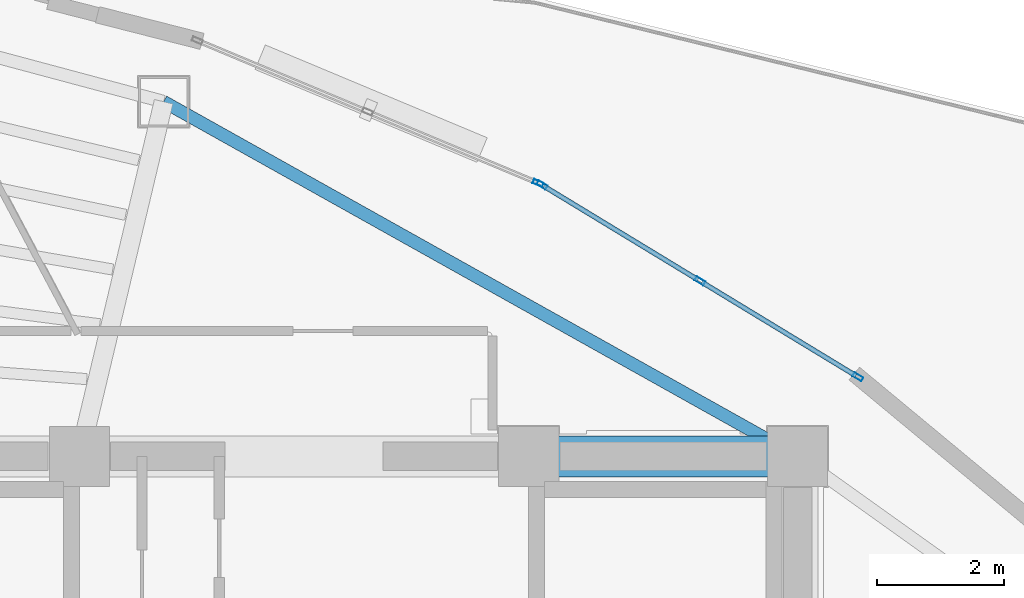
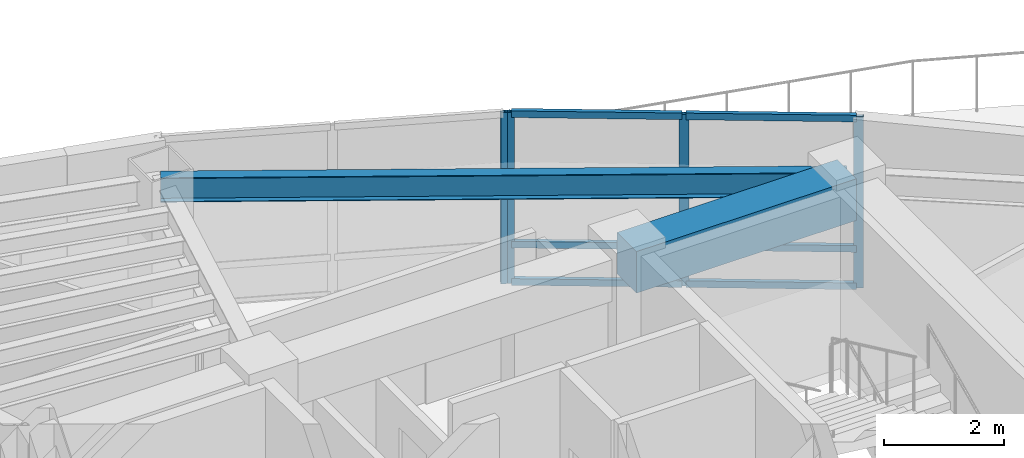
# One storey, part 10 of 16: 10 members, 2 beams, 2 elements without a shape of their own.
"""IFC4 building model written with IfcOpenShell, lengths in metres."""

from ifc_helpers import new_model, si_unit, direction, frame, origin, origin_2d, place, context, subcontext, project, spatial, rectangle, hollow_rectangle, i_section, extrude, material, layer, layer_set, material_profile, profile_set, type_object, element, aggregate, save


model = new_model("IFC4")

# Units and contexts
model_context = context("Model", 3, precision=1e-05, world=origin(), true_north=direction((0.0, 1.0)))
body_context = subcontext(model_context, "Body", "Model", "MODEL_VIEW")
ifc_project = project(units=[si_unit("LENGTHUNIT", "METRE"), si_unit("AREAUNIT", "SQUARE_METRE"), si_unit("VOLUMEUNIT", "CUBIC_METRE"), si_unit("PLANEANGLEUNIT", "RADIAN"), si_unit("MASSUNIT", "GRAM", prefix="KILO")], contexts=[model_context])

# Site, building, storey
site_placement = place(None, origin())
site = spatial("IfcSite", under=ifc_project, at=site_placement, CompositionType="ELEMENT")
building_placement = place(site_placement, origin())
building = spatial("IfcBuilding", under=site, at=building_placement, Name="Menara Vayukalpa", CompositionType="ELEMENT")
storey_placement = place(building_placement, frame((0.0, 0.0, 247.139892578125)))
storey = spatial("IfcBuildingStorey", under=building, at=storey_placement, Name="L62", CompositionType="ELEMENT", Elevation=247.139892578125)

# Beams
ifc_material_1 = material(Name="Concrete C60/75", Category="concrete")
ifc_material_profile_1 = material_profile(ifc_material_1, rectangle(XDim=0.64990234375, YDim=0.85009765625, at=origin_2d()), Name="RC 650x850")
ifc_profile_set_1 = profile_set([ifc_material_profile_1], Name="Concrete C60/75")
beam_type_1 = type_object("IfcBeamType", Name="BM-CB1", PredefinedType="BEAM", material=ifc_profile_set_1)
beam_1_placement = place(storey_placement, frame((29.14990234375, 26.800048828125, 3.0751953125), z_axis=(1.0, 0.0, 0.0), x_axis=(0.0, 1.0, 0.0)))
element("IfcBeam", 1, at=beam_1_placement, inside=storey, type_object=beam_type_1, Name="L62 Core Tie Beam CBR6", PredefinedType="BEAM", context=body_context, shape_type="SweptSolid", body=[
    extrude(rectangle(XDim=0.64990234375, YDim=0.85009765625, at=origin_2d()), origin(), (0.0, 0.0, 1.0), 4.25),
])
ifc_material_2 = material(Name="Steel S355", Category="steel")
ifc_material_profile_2 = material_profile(ifc_material_2, i_section(OverallWidth=0.199951171875, OverallDepth=0.5, WebThickness=0.010009765625, FlangeThickness=0.01611328125, at=origin_2d()), Name="WF 500x200x10x16")
ifc_profile_set_2 = profile_set([ifc_material_profile_2], Name="Steel S355")
beam_type_2 = type_object("IfcBeamType", Name="BM-SP3", PredefinedType="SPANDREL", material=ifc_profile_set_2)
beam_2_placement = place(storey_placement, frame((33.39990234375, 26.800048828125, 3.25), z_axis=(-0.87270577288, 0.48824648896, 0.0), x_axis=(-0.48824648896, -0.87270577288, 0.0)))
element("IfcBeam", 2, at=beam_2_placement, inside=storey, type_object=beam_type_2, Name="L62 Perimeter Spandrel Beam SP02", PredefinedType="SPANDREL", context=body_context, shape_type="SweptSolid", body=[
    extrude(i_section(OverallWidth=0.199951171875, OverallDepth=0.5, WebThickness=0.010009765625, FlangeThickness=0.01611328125, at=origin_2d()), origin(), (0.0, 0.0, 1.0), 11.479248046875),
])

# Curtain wall, members
ifc_material_3 = material(Name="Anodised Terracotta Aluminium Alloy 6063-T6", Category="masonry")
ifc_layer = layer(ifc_material_3, 0.1650390625)
ifc_layer_set = layer_set([ifc_layer], Name="Anodised Terracotta Aluminium Alloy 6063-T6")
curtain_wall_type = type_object("IfcCurtainWallType", Name="CW-CW6", PredefinedType="USERDEFINED", material=ifc_layer_set)
curtain_wall_1_placement = place(storey_placement, origin())
curtain_wall_1 = element("IfcCurtainWall", 3, at=curtain_wall_1_placement, inside=storey, type_object=curtain_wall_type, Name="L62 Observation and Executive Curtain Wall CW6 04", ObjectType="UNITISED", PredefinedType="USERDEFINED")
ifc_material_4 = material(Name="Anodised Terracotta Aluminium Alloy 6063-T6", Category="masonry")
ifc_material_profile_3 = material_profile(ifc_material_4, hollow_rectangle(XDim=0.070068359375, YDim=0.1650390625, WallThickness=0.00390625, at=origin_2d()), Name="ALU 70x165x4")
ifc_profile_set_3 = profile_set([ifc_material_profile_3], Name="Anodised Terracotta Aluminium Alloy 6063-T6")
member_type_1 = type_object("IfcMemberType", Name="CWM-CW6", PredefinedType="MULLION", material=ifc_profile_set_3)
member_1_placement = place(storey_placement, frame((34.35009765625, 28.056396484375, 0.0), z_axis=(0.0, 0.0, 1.0), x_axis=(-0.519175574558, -0.854667609532, 0.0)))
member_1 = element("IfcMember", 4, at=member_1_placement, type_object=member_type_1, Name="CW6 mullion 1", PredefinedType="MULLION", context=body_context, shape_type="SweptSolid", body=[
    extrude(hollow_rectangle(XDim=0.070068359375, YDim=0.1650390625, WallThickness=0.00390625, at=origin_2d()), origin(), (0.0, 0.0, 1.0), 3.5),
])
member_2_placement = place(storey_placement, frame((31.85546875, 29.57177734375, 0.0), z_axis=(0.0, 0.0, 1.0), x_axis=(-0.519175574558, -0.854667609532, 0.0)))
member_2 = element("IfcMember", 5, at=member_2_placement, type_object=member_type_1, Name="CW6 mullion 2", PredefinedType="MULLION", context=body_context, shape_type="SweptSolid", body=[
    extrude(hollow_rectangle(XDim=0.070068359375, YDim=0.1650390625, WallThickness=0.00390625, at=origin_2d()), origin(), (0.0, 0.0, 1.0), 3.5),
])
member_3_placement = place(storey_placement, frame((29.36083984375, 31.087158203125, 0.0), z_axis=(0.0, 0.0, 1.0), x_axis=(-0.519175574558, -0.854667609532, 0.0)))
member_3 = element("IfcMember", 6, at=member_3_placement, type_object=member_type_1, Name="CW6 mullion 3", PredefinedType="MULLION", context=body_context, shape_type="SweptSolid", body=[
    extrude(hollow_rectangle(XDim=0.070068359375, YDim=0.1650390625, WallThickness=0.00390625, at=origin_2d()), origin(), (0.0, 0.0, 1.0), 3.5),
])

# Curtain wall, member
curtain_wall_2_placement = place(storey_placement, origin())
curtain_wall_2 = element("IfcCurtainWall", 7, at=curtain_wall_2_placement, inside=storey, type_object=curtain_wall_type, Name="L62 Observation and Executive Curtain Wall CW6 05", ObjectType="UNITISED", PredefinedType="USERDEFINED")
member_4_placement = place(storey_placement, frame((29.298828125, 31.118896484375, 0.0), z_axis=(0.0, 0.0, 1.0), x_axis=(-0.385899911703, -0.922540653927, 0.0)))
member_4 = element("IfcMember", 8, at=member_4_placement, type_object=member_type_1, Name="CW6 mullion 1", PredefinedType="MULLION", context=body_context, shape_type="SweptSolid", body=[
    extrude(hollow_rectangle(XDim=0.070068359375, YDim=0.1650390625, WallThickness=0.00390625, at=origin_2d()), origin(), (0.0, 0.0, 1.0), 3.5),
])
aggregate(curtain_wall_2, [member_4])

# Member
ifc_material_5 = material(Name="Anodised Terracotta Aluminium Alloy 6063-T6", Category="masonry")
ifc_material_profile_4 = material_profile(ifc_material_5, hollow_rectangle(XDim=0.074951171875, YDim=0.135009765625, WallThickness=0.00390625, at=origin_2d()), Name="ALU 75x135x4")
ifc_profile_set_4 = profile_set([ifc_material_profile_4], Name="Anodised Terracotta Aluminium Alloy 6063-T6")
member_type_2 = type_object("IfcMemberType", Name="CWT-CW6", PredefinedType="USERDEFINED", material=ifc_profile_set_4)
member_5_placement = place(storey_placement, frame((34.320068359375, 28.07470703125, 0.03759765625), z_axis=(-0.854674800659, 0.519163736328, 0.0), x_axis=(-0.519163736328, -0.85467480066, 0.0)))
member_5 = element("IfcMember", 9, at=member_5_placement, type_object=member_type_2, Name="CW6 transom 1.1", ObjectType="TRANSOM", PredefinedType="USERDEFINED", context=body_context, shape_type="SweptSolid", body=[
    extrude(hollow_rectangle(XDim=0.074951171875, YDim=0.135009765625, WallThickness=0.00390625, at=origin_2d()), origin(), (0.0, 0.0, 1.0), 2.848876953125),
])

member_6_placement = place(storey_placement, frame((34.320068359375, 28.07470703125, 0.800048828125), z_axis=(-0.854674800659, 0.519163736328, 0.0), x_axis=(-0.519163736328, -0.85467480066, 0.0)))
member_6 = element("IfcMember", 10, at=member_6_placement, type_object=member_type_2, Name="CW6 transom 1.2", ObjectType="TRANSOM", PredefinedType="USERDEFINED", context=body_context, shape_type="SweptSolid", body=[
    extrude(hollow_rectangle(XDim=0.074951171875, YDim=0.135009765625, WallThickness=0.00390625, at=origin_2d()), origin(), (0.0, 0.0, 1.0), 2.848876953125),
])

member_7_placement = place(storey_placement, frame((34.320068359375, 28.07470703125, 3.462646484375), z_axis=(-0.854674800659, 0.519163736328, 0.0), x_axis=(-0.519163736328, -0.85467480066, 0.0)))
member_7 = element("IfcMember", 11, at=member_7_placement, type_object=member_type_2, Name="CW6 transom 1.3", ObjectType="TRANSOM", PredefinedType="USERDEFINED", context=body_context, shape_type="SweptSolid", body=[
    extrude(hollow_rectangle(XDim=0.074951171875, YDim=0.135009765625, WallThickness=0.00390625, at=origin_2d()), origin(), (0.0, 0.0, 1.0), 2.848876953125),
])

member_8_placement = place(storey_placement, frame((31.825439453125, 29.590087890625, 0.03759765625), z_axis=(-0.854689729536, 0.519139158825, 0.0), x_axis=(-0.519139158825, -0.854689729536, 0.0)))
member_8 = element("IfcMember", 12, at=member_8_placement, type_object=member_type_2, Name="CW6 transom 2.1", ObjectType="TRANSOM", PredefinedType="USERDEFINED", context=body_context, shape_type="SweptSolid", body=[
    extrude(hollow_rectangle(XDim=0.074951171875, YDim=0.135009765625, WallThickness=0.00390625, at=origin_2d()), origin(), (0.0, 0.0, 1.0), 2.848388671875),
])

member_9_placement = place(storey_placement, frame((31.825439453125, 29.590087890625, 0.800048828125), z_axis=(-0.854689729536, 0.519139158825, 0.0), x_axis=(-0.519139158825, -0.854689729536, 0.0)))
member_9 = element("IfcMember", 13, at=member_9_placement, type_object=member_type_2, Name="CW6 transom 2.2", ObjectType="TRANSOM", PredefinedType="USERDEFINED", context=body_context, shape_type="SweptSolid", body=[
    extrude(hollow_rectangle(XDim=0.074951171875, YDim=0.135009765625, WallThickness=0.00390625, at=origin_2d()), origin(), (0.0, 0.0, 1.0), 2.848388671875),
])

member_10_placement = place(storey_placement, frame((31.825439453125, 29.590087890625, 3.462646484375), z_axis=(-0.854689729536, 0.519139158825, 0.0), x_axis=(-0.519139158825, -0.854689729536, 0.0)))
member_10 = element("IfcMember", 14, at=member_10_placement, type_object=member_type_2, Name="CW6 transom 2.3", ObjectType="TRANSOM", PredefinedType="USERDEFINED", context=body_context, shape_type="SweptSolid", body=[
    extrude(hollow_rectangle(XDim=0.074951171875, YDim=0.135009765625, WallThickness=0.00390625, at=origin_2d()), origin(), (0.0, 0.0, 1.0), 2.848388671875),
])

aggregate(curtain_wall_1, [member_1, member_2, member_3, member_5, member_6, member_7, member_8, member_9, member_10])

save(model, "model.ifc")
